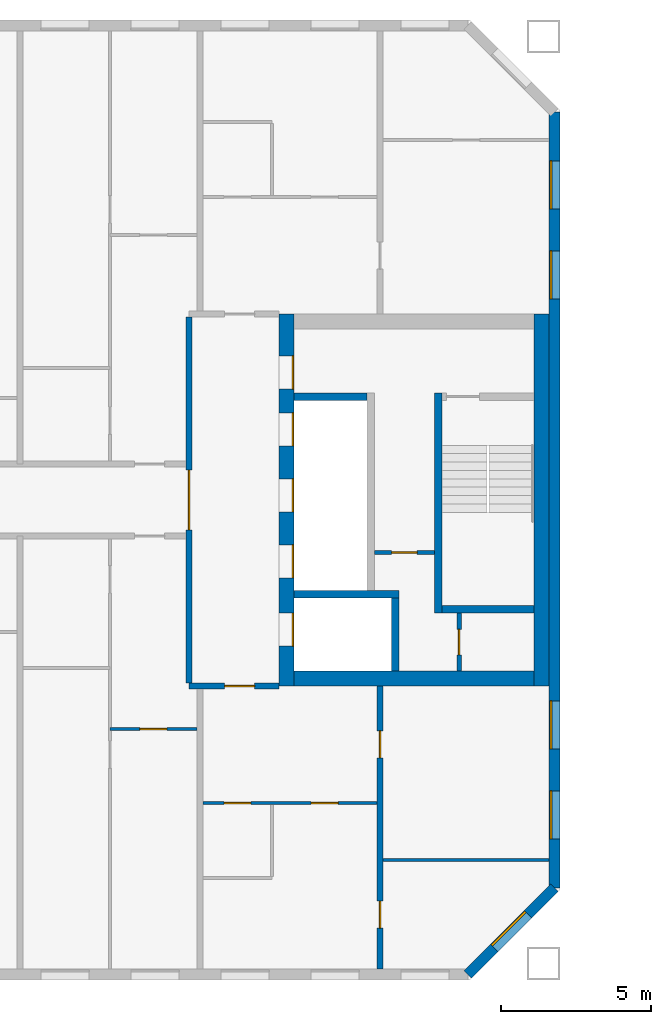
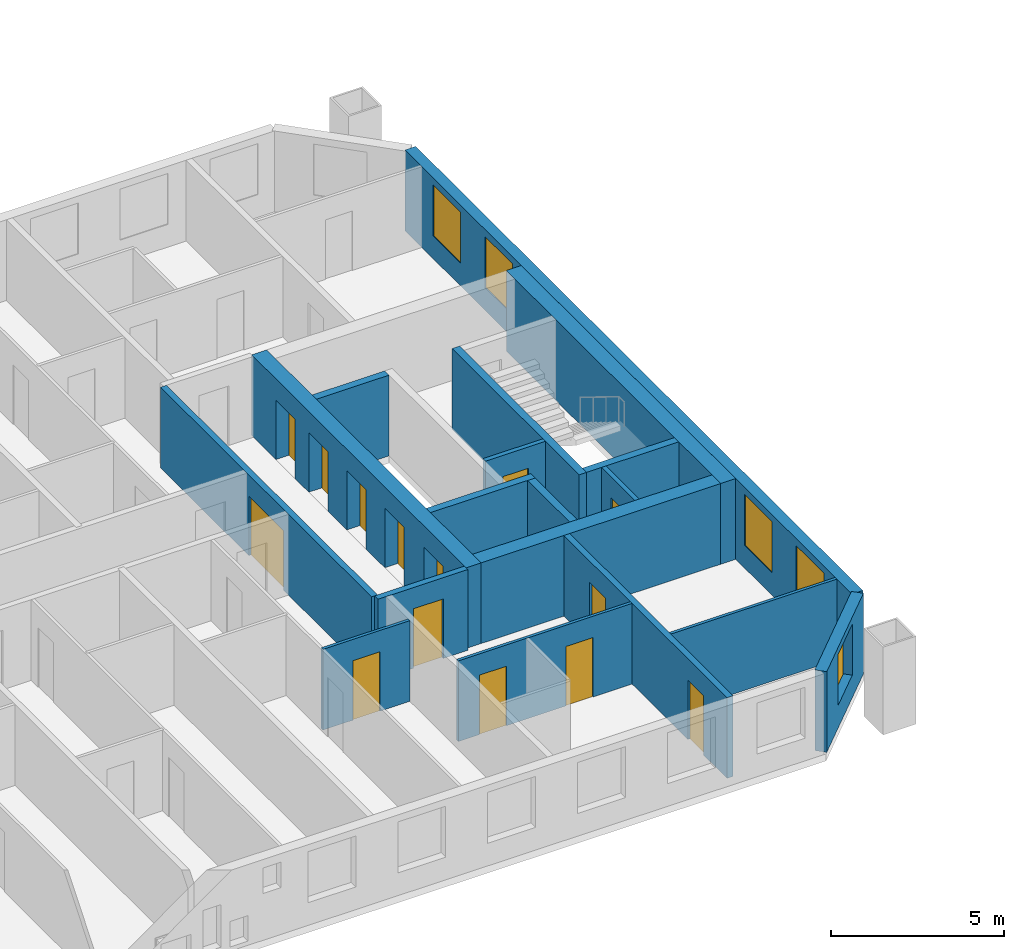
# One storey, part 6 of 15: 18 walls, 14 doors, 5 windows, 19 openings.
"""IFC4 building model written with IfcOpenShell, lengths in metres."""

from ifc_helpers import new_model, si_unit, direction, frame, frame_2d, origin, place, context, subcontext, project, spatial, rectangle, extrude, material, layer, layer_set, type_object, element, fill, save


model = new_model("IFC4")

# Units and contexts
model_context = context("Model", 3, precision=1e-05, world=origin(), true_north=direction((0.0, 1.0)))
body_context = subcontext(model_context, "Body", "Model", "MODEL_VIEW")
ifc_project = project(units=[si_unit("LENGTHUNIT", "METRE"), si_unit("AREAUNIT", "SQUARE_METRE"), si_unit("VOLUMEUNIT", "CUBIC_METRE"), si_unit("PLANEANGLEUNIT", "RADIAN"), si_unit("MASSUNIT", "GRAM", prefix="KILO")], contexts=[model_context])

# Site, building, storey
site_placement = place(None, origin())
site = spatial("IfcSite", under=ifc_project, at=site_placement, CompositionType="ELEMENT")
building_placement = place(site_placement, origin())
building = spatial("IfcBuilding", under=site, at=building_placement, Name="Tuart Gate Housing", CompositionType="ELEMENT")
storey_placement = place(building_placement, frame((0.0, 0.0, 164.0)))
storey = spatial("IfcBuildingStorey", under=building, at=storey_placement, Name="L46", CompositionType="ELEMENT", Elevation=164.0)

# Wall, opening, window
ifc_material_1 = material(Name="Brick", Category="masonry")
ifc_layer_1 = layer(ifc_material_1, 0.360107421875)
ifc_layer_set_1 = layer_set([ifc_layer_1], Name="Brick pier and spandrel wall 360")
wall_type_1 = type_object("IfcWallType", Name="Brick pier and spandrel wall 360", PredefinedType="STANDARD", material=ifc_layer_set_1)
wall_1_placement = place(storey_placement, frame((72.92529296875, 54.179931640625, 0.0), z_axis=(0.0, 0.0, 1.0), x_axis=(0.707106781187, 0.707106781187, 0.0)))
wall_1 = element("IfcWall", 1, at=wall_1_placement, inside=storey, type_object=wall_type_1, Name="External wall A-SE L46", PredefinedType="STANDARD", context=body_context, shape_type="SweptSolid", body=[
    extrude(rectangle(XDim=4.09375, YDim=0.360107421875, at=frame_2d((2.046875, 0.0))), origin(), (0.0, 0.0, 1.0), 2.85009765625),
])
opening_1_placement = place(wall_1_placement, frame((1.2470703125, 0.0, 0.800048828125)))
opening_1 = element("IfcOpeningElement", 2, at=opening_1_placement, cuts=wall_1, Name="Opening W1", PredefinedType="OPENING", context=body_context, shape_type="SweptSolid", body=[
    extrude(rectangle(XDim=1.60009765625, YDim=1.800048828125, at=frame_2d((0.800048828125, 0.89990234375))), frame((0.0, 0.18994140625, 0.0), z_axis=(0.0, -1.0, 0.0), x_axis=(1.0, 0.0, 0.0)), (0.0, 0.0, 1.0), 0.380126953125),
])
ifc_material_2 = material(Name="Aluminium frame with clear glass", Category="aluminium")
window_type = type_object("IfcWindowType", Name="Punched window 1600 x 1800", PartitioningType="SINGLE_PANEL", PredefinedType="WINDOW", material=ifc_material_2)
window_1_placement = place(opening_1_placement, origin())
window_1 = element("IfcWindow", 3, at=window_1_placement, inside=storey, type_object=window_type, Name="Window W1", OverallHeight=1.800048828125, OverallWidth=1.60009765625, PartitioningType="SINGLE_PANEL", PredefinedType="WINDOW", context=body_context, shape_type="SweptSolid", body=[
    extrude(rectangle(XDim=1.60009765625, YDim=1.800048828125, at=frame_2d((0.800048828125, 0.89990234375))), frame((0.0, 0.150146484375, 0.0), z_axis=(0.0, -1.0, 0.0), x_axis=(1.0, 0.0, 0.0)), (0.0, 0.0, 1.0), 0.06005859375),
])
fill(opening_1, window_1)

# Wall, openings, windows
wall_2_placement = place(storey_placement, frame((75.820068359375, 57.07470703125, 0.0), z_axis=(0.0, 0.0, 1.0), x_axis=(0.0, 1.0, 0.0)))
wall_2 = element("IfcWall", 4, at=wall_2_placement, inside=storey, type_object=wall_type_1, Name="External wall A-E L46", PredefinedType="STANDARD", context=body_context, shape_type="SweptSolid", body=[
    extrude(rectangle(XDim=25.850830078125, YDim=0.360107421875, at=frame_2d((12.92529296875, 0.0))), origin(), (0.0, 0.0, 1.0), 2.85009765625),
])
opening_2_placement = place(wall_2_placement, frame((1.62548828125, 0.0, 0.800048828125)))
opening_2 = element("IfcOpeningElement", 5, at=opening_2_placement, cuts=wall_2, Name="Opening W1", PredefinedType="OPENING", context=body_context, shape_type="SweptSolid", body=[
    extrude(rectangle(XDim=1.60009765625, YDim=1.800048828125, at=frame_2d((0.800048828125, 0.89990234375))), frame((0.0, 0.18994140625, 0.0), z_axis=(0.0, -1.0, 0.0), x_axis=(1.0, 0.0, 0.0)), (0.0, 0.0, 1.0), 0.380126953125),
])
opening_3_placement = place(wall_2_placement, frame((4.62548828125, 0.0, 0.800048828125)))
opening_3 = element("IfcOpeningElement", 6, at=opening_3_placement, cuts=wall_2, Name="Opening W1", PredefinedType="OPENING", context=body_context, shape_type="SweptSolid", body=[
    extrude(rectangle(XDim=1.60009765625, YDim=1.800048828125, at=frame_2d((0.800048828125, 0.89990234375))), frame((0.0, 0.18994140625, 0.0), z_axis=(0.0, -1.0, 0.0), x_axis=(1.0, 0.0, 0.0)), (0.0, 0.0, 1.0), 0.380126953125),
])
opening_4_placement = place(wall_2_placement, frame((19.62548828125, 0.0, 0.800048828125)))
opening_4 = element("IfcOpeningElement", 7, at=opening_4_placement, cuts=wall_2, Name="Opening W1", PredefinedType="OPENING", context=body_context, shape_type="SweptSolid", body=[
    extrude(rectangle(XDim=1.60009765625, YDim=1.800048828125, at=frame_2d((0.800048828125, 0.89990234375))), frame((0.0, 0.18994140625, 0.0), z_axis=(0.0, -1.0, 0.0), x_axis=(1.0, 0.0, 0.0)), (0.0, 0.0, 1.0), 0.380126953125),
])
opening_5_placement = place(wall_2_placement, frame((22.62548828125, 0.0, 0.800048828125)))
opening_5 = element("IfcOpeningElement", 8, at=opening_5_placement, cuts=wall_2, Name="Opening W1", PredefinedType="OPENING", context=body_context, shape_type="SweptSolid", body=[
    extrude(rectangle(XDim=1.60009765625, YDim=1.800048828125, at=frame_2d((0.800048828125, 0.89990234375))), frame((0.0, 0.18994140625, 0.0), z_axis=(0.0, -1.0, 0.0), x_axis=(1.0, 0.0, 0.0)), (0.0, 0.0, 1.0), 0.380126953125),
])
window_2_placement = place(opening_2_placement, origin())
window_2 = element("IfcWindow", 9, at=window_2_placement, inside=storey, type_object=window_type, Name="Window W1", OverallHeight=1.800048828125, OverallWidth=1.60009765625, PartitioningType="SINGLE_PANEL", PredefinedType="WINDOW", context=body_context, shape_type="SweptSolid", body=[
    extrude(rectangle(XDim=1.60009765625, YDim=1.800048828125, at=frame_2d((0.800048828125, 0.89990234375))), frame((0.0, 0.150146484375, 0.0), z_axis=(0.0, -1.0, 0.0), x_axis=(1.0, 0.0, 0.0)), (0.0, 0.0, 1.0), 0.06005859375),
])
fill(opening_2, window_2)
window_3_placement = place(opening_3_placement, origin())
window_3 = element("IfcWindow", 10, at=window_3_placement, inside=storey, type_object=window_type, Name="Window W1", OverallHeight=1.800048828125, OverallWidth=1.60009765625, PartitioningType="SINGLE_PANEL", PredefinedType="WINDOW", context=body_context, shape_type="SweptSolid", body=[
    extrude(rectangle(XDim=1.60009765625, YDim=1.800048828125, at=frame_2d((0.800048828125, 0.89990234375))), frame((0.0, 0.150146484375, 0.0), z_axis=(0.0, -1.0, 0.0), x_axis=(1.0, 0.0, 0.0)), (0.0, 0.0, 1.0), 0.06005859375),
])
fill(opening_3, window_3)
window_4_placement = place(opening_4_placement, origin())
window_4 = element("IfcWindow", 11, at=window_4_placement, inside=storey, type_object=window_type, Name="Window W1", OverallHeight=1.800048828125, OverallWidth=1.60009765625, PartitioningType="SINGLE_PANEL", PredefinedType="WINDOW", context=body_context, shape_type="SweptSolid", body=[
    extrude(rectangle(XDim=1.60009765625, YDim=1.800048828125, at=frame_2d((0.800048828125, 0.89990234375))), frame((0.0, 0.150146484375, 0.0), z_axis=(0.0, -1.0, 0.0), x_axis=(1.0, 0.0, 0.0)), (0.0, 0.0, 1.0), 0.06005859375),
])
fill(opening_4, window_4)
window_5_placement = place(opening_5_placement, origin())
window_5 = element("IfcWindow", 12, at=window_5_placement, inside=storey, type_object=window_type, Name="Window W1", OverallHeight=1.800048828125, OverallWidth=1.60009765625, PartitioningType="SINGLE_PANEL", PredefinedType="WINDOW", context=body_context, shape_type="SweptSolid", body=[
    extrude(rectangle(XDim=1.60009765625, YDim=1.800048828125, at=frame_2d((0.800048828125, 0.89990234375))), frame((0.0, 0.150146484375, 0.0), z_axis=(0.0, -1.0, 0.0), x_axis=(1.0, 0.0, 0.0)), (0.0, 0.0, 1.0), 0.06005859375),
])
fill(opening_5, window_5)

# Wall, opening, door
ifc_material_3 = material(Name="Plasterboard partition")
ifc_layer_2 = layer(ifc_material_3, 0.14990234375)
ifc_layer_set_2 = layer_set([ifc_layer_2], Name="Core partition 150")
wall_type_2 = type_object("IfcWallType", Name="Core partition 150", PredefinedType="PARTITIONING", material=ifc_layer_set_2)
wall_3_placement = place(storey_placement, frame((69.81494140625, 68.25, 0.0), z_axis=(0.0, 0.0, 1.0), x_axis=(1.0, 0.0, 0.0)))
wall_3 = element("IfcWall", 13, at=wall_3_placement, inside=storey, type_object=wall_type_2, Name="Core partition AG.3", PredefinedType="PARTITIONING", context=body_context, shape_type="SweptSolid", body=[
    extrude(rectangle(XDim=2.0, YDim=0.14990234375, at=frame_2d((1.0, 0.0))), origin(), (0.0, 0.0, 1.0), 2.85009765625),
])
opening_6_placement = place(wall_3_placement, frame((0.574951171875, 0.0, 0.0)))
opening_6 = element("IfcOpeningElement", 14, at=opening_6_placement, cuts=wall_3, Name="Opening D1658", PredefinedType="OPENING", context=body_context, shape_type="SweptSolid", body=[
    extrude(rectangle(XDim=0.85009765625, YDim=2.10009765625, at=frame_2d((0.425048828125, 1.050048828125))), frame((0.0, 0.0849609375, 0.0), z_axis=(0.0, -1.0, 0.0), x_axis=(1.0, 0.0, 0.0)), (0.0, 0.0, 1.0), 0.169921875),
])
ifc_material_4 = material(Name="Steel fire door", Category="steel")
door_type_1 = type_object("IfcDoorType", Name="Riser door 850 x 2100 RH", OperationType="SINGLE_SWING_RIGHT", PredefinedType="DOOR", material=ifc_material_4)
door_1_placement = place(opening_6_placement, frame((0.85009765625, 0.0, 0.0), z_axis=(0.0, 0.0, 1.0), x_axis=(-1.0, 0.0, 0.0)))
door_1 = element("IfcDoor", 15, at=door_1_placement, inside=storey, type_object=door_type_1, Name="Service room door AG.E1", OperationType="SINGLE_SWING_RIGHT", OverallHeight=2.10009765625, OverallWidth=0.85009765625, PredefinedType="DOOR", context=body_context, shape_type="SweptSolid", body=[
    extrude(rectangle(XDim=0.85009765625, YDim=2.10009765625, at=frame_2d((0.425048828125, 1.050048828125))), frame((0.0, 0.025146484375, 0.0), z_axis=(0.0, -1.0, 0.0), x_axis=(1.0, 0.0, 0.0)), (0.0, 0.0, 1.0), 0.050048828125),
])
fill(opening_6, door_1)

wall_4_placement = place(storey_placement, frame((72.639892578125, 64.300048828125, 0.0), z_axis=(0.0, 0.0, 1.0), x_axis=(0.0, 1.0, 0.0)))
wall_4 = element("IfcWall", 16, at=wall_4_placement, inside=storey, type_object=wall_type_2, Name="Core partition AG.9", PredefinedType="PARTITIONING", context=body_context, shape_type="SweptSolid", body=[
    extrude(rectangle(XDim=1.925048828125, YDim=0.14990234375, at=frame_2d((0.96240234375, 0.0))), origin(), (0.0, 0.0, 1.0), 2.85009765625),
])
opening_7_placement = place(wall_4_placement, frame((0.53759765625, 0.0, 0.0)))
opening_7 = element("IfcOpeningElement", 17, at=opening_7_placement, cuts=wall_4, Name="Opening D1660", PredefinedType="OPENING", context=body_context, shape_type="SweptSolid", body=[
    extrude(rectangle(XDim=0.85009765625, YDim=2.10009765625, at=frame_2d((0.425048828125, 1.050048828125))), frame((0.0, 0.0849609375, 0.0), z_axis=(0.0, -1.0, 0.0), x_axis=(1.0, 0.0, 0.0)), (0.0, 0.0, 1.0), 0.169921875),
])
ifc_material_5 = material(Name="Steel fire door", Category="steel")
door_type_2 = type_object("IfcDoorType", Name="Service door 850 x 2100", OperationType="SINGLE_SWING_LEFT", PredefinedType="DOOR", material=ifc_material_5)
door_2_placement = place(opening_7_placement, origin())
door_2 = element("IfcDoor", 18, at=door_2_placement, inside=storey, type_object=door_type_2, Name="Service room door AG.E2", OperationType="SINGLE_SWING_LEFT", OverallHeight=2.10009765625, OverallWidth=0.85009765625, PredefinedType="DOOR", context=body_context, shape_type="SweptSolid", body=[
    extrude(rectangle(XDim=0.85009765625, YDim=2.10009765625, at=frame_2d((0.425048828125, 1.050048828125))), frame((0.0, 0.02490234375, 0.0), z_axis=(0.0, -1.0, 0.0), x_axis=(1.0, 0.0, 0.0)), (0.0, 0.0, 1.0), 0.050048828125),
])
fill(opening_7, door_2)

# Walls
ifc_material_6 = material(Name="Concrete C40", Category="concrete")
ifc_layer_3 = layer(ifc_material_6, 0.25)
ifc_layer_set_3 = layer_set([ifc_layer_3], Name="Core wall 250 C40")
wall_type_3 = type_object("IfcWallType", Name="Core wall 250 C40", PredefinedType="SHEAR", material=ifc_layer_set_3)
wall_5_placement = place(storey_placement, frame((72.06494140625, 66.35009765625, 0.0), z_axis=(0.0, 0.0, 1.0), x_axis=(1.0, 0.0, 0.0)))
element("IfcWall", 19, at=wall_5_placement, inside=storey, type_object=wall_type_3, Name="Core wall AG.1", PredefinedType="SHEAR", context=body_context, shape_type="SweptSolid", body=[
    extrude(rectangle(XDim=3.074951171875, YDim=0.25, at=frame_2d((1.53759765625, 0.0))), origin(), (0.0, 0.0, 1.0), 2.85009765625),
])
wall_6_placement = place(storey_placement, frame((67.139892578125, 66.85009765625, 0.0), z_axis=(0.0, 0.0, 1.0), x_axis=(1.0, 0.0, 0.0)))
element("IfcWall", 20, at=wall_6_placement, inside=storey, type_object=wall_type_3, Name="Core wall AG.2", PredefinedType="SHEAR", context=body_context, shape_type="SweptSolid", body=[
    extrude(rectangle(XDim=3.4951171875, YDim=0.25, at=frame_2d((1.74755859375, 0.0))), origin(), (0.0, 0.0, 1.0), 2.85009765625),
])
for number, where, z_axis, x_axis, name in (
    (21, (67.139892578125, 73.449951171875, 0.0), (0.0, 0.0, 1.0), (1.0, 0.0, 0.0), "Core wall AG.4"),
    (22, (70.510009765625, 64.300048828125, 0.0), (0.0, 0.0, 1.0), (0.0, 1.0, 0.0), "Core wall AG.7"),
):
    element("IfcWall", number, at=place(storey_placement, frame(where, z_axis=z_axis, x_axis=x_axis)), inside=storey, type_object=wall_type_3, Name=name, PredefinedType="SHEAR", context=body_context, shape_type="SweptSolid", body=[
        extrude(rectangle(XDim=2.425048828125, YDim=0.25, at=frame_2d((1.21240234375, 0.0))), origin(), (0.0, 0.0, 1.0), 2.85009765625),
    ])
wall_7_placement = place(storey_placement, frame((71.93994140625, 66.22509765625, 0.0), z_axis=(0.0, 0.0, 1.0), x_axis=(0.0, 1.0, 0.0)))
element("IfcWall", 23, at=wall_7_placement, inside=storey, type_object=wall_type_3, Name="Core wall AG.8", PredefinedType="SHEAR", context=body_context, shape_type="SweptSolid", body=[
    extrude(rectangle(XDim=7.349853515625, YDim=0.25, at=frame_2d((3.6748046875, 0.0))), origin(), (0.0, 0.0, 1.0), 2.85009765625),
])

# Wall, openings, doors
ifc_material_7 = material(Name="Concrete C40", Category="concrete")
ifc_layer_4 = layer(ifc_material_7, 0.5)
ifc_layer_set_4 = layer_set([ifc_layer_4], Name="Core wall 500 C40")
wall_type_4 = type_object("IfcWallType", Name="Core wall 500 C40", PredefinedType="SHEAR", material=ifc_layer_set_4)
wall_8_placement = place(storey_placement, frame((66.889892578125, 63.800048828125, 0.0), z_axis=(0.0, 0.0, 1.0), x_axis=(0.0, 1.0, 0.0)))
wall_8 = element("IfcWall", 24, at=wall_8_placement, inside=storey, type_object=wall_type_4, Name="Core wall AG front", PredefinedType="SHEAR", context=body_context, shape_type="SweptSolid", body=[
    extrude(rectangle(XDim=12.39990234375, YDim=0.5, at=frame_2d((6.199951171875, 0.0))), origin(), (0.0, 0.0, 1.0), 2.85009765625),
])
opening_8_placement = place(wall_8_placement, frame((1.324951171875, 0.0, 0.0)))
opening_8 = element("IfcOpeningElement", 25, at=opening_8_placement, cuts=wall_8, Name="Opening LD-FA1", PredefinedType="OPENING", context=body_context, shape_type="SweptSolid", body=[
    extrude(rectangle(XDim=1.10009765625, YDim=2.10009765625, at=frame_2d((0.550048828125, 1.050048828125))), frame((0.0, 0.260009765625, 0.0), z_axis=(0.0, -1.0, 0.0), x_axis=(1.0, 0.0, 0.0)), (0.0, 0.0, 1.0), 0.52001953125),
])
opening_9_placement = place(wall_8_placement, frame((3.60009765625, 0.0, 0.0)))
opening_9 = element("IfcOpeningElement", 26, at=opening_9_placement, cuts=wall_8, Name="Opening LD-LA1", PredefinedType="OPENING", context=body_context, shape_type="SweptSolid", body=[
    extrude(rectangle(XDim=1.10009765625, YDim=2.10009765625, at=frame_2d((0.550048828125, 1.050048828125))), frame((0.0, 0.260009765625, 0.0), z_axis=(0.0, -1.0, 0.0), x_axis=(1.0, 0.0, 0.0)), (0.0, 0.0, 1.0), 0.52001953125),
])
opening_10_placement = place(wall_8_placement, frame((5.800048828125, 0.0, 0.0)))
opening_10 = element("IfcOpeningElement", 27, at=opening_10_placement, cuts=wall_8, Name="Opening LD-LA2", PredefinedType="OPENING", context=body_context, shape_type="SweptSolid", body=[
    extrude(rectangle(XDim=1.10009765625, YDim=2.10009765625, at=frame_2d((0.550048828125, 1.050048828125))), frame((0.0, 0.260009765625, 0.0), z_axis=(0.0, -1.0, 0.0), x_axis=(1.0, 0.0, 0.0)), (0.0, 0.0, 1.0), 0.52001953125),
])
opening_11_placement = place(wall_8_placement, frame((8.0, 0.0, 0.0)))
opening_11 = element("IfcOpeningElement", 28, at=opening_11_placement, cuts=wall_8, Name="Opening LD-LA3", PredefinedType="OPENING", context=body_context, shape_type="SweptSolid", body=[
    extrude(rectangle(XDim=1.10009765625, YDim=2.10009765625, at=frame_2d((0.550048828125, 1.050048828125))), frame((0.0, 0.260009765625, 0.0), z_axis=(0.0, -1.0, 0.0), x_axis=(1.0, 0.0, 0.0)), (0.0, 0.0, 1.0), 0.52001953125),
])
opening_12_placement = place(wall_8_placement, frame((9.89990234375, 0.0, 0.0)))
opening_12 = element("IfcOpeningElement", 29, at=opening_12_placement, cuts=wall_8, Name="Opening D1654", PredefinedType="OPENING", context=body_context, shape_type="SweptSolid", body=[
    extrude(rectangle(XDim=1.10009765625, YDim=2.10009765625, at=frame_2d((0.550048828125, 1.050048828125))), frame((0.0, 0.260009765625, 0.0), z_axis=(0.0, -1.0, 0.0), x_axis=(1.0, 0.0, 0.0)), (0.0, 0.0, 1.0), 0.52001953125),
])
ifc_material_8 = material(Name="Stainless steel", Category="steel")
door_type_3 = type_object("IfcDoorType", Name="Landing door 1100 x 2100", OperationType="DOUBLE_DOOR_SLIDING", PredefinedType="DOOR", material=ifc_material_8)
door_3_placement = place(opening_8_placement, origin())
door_3 = element("IfcDoor", 30, at=door_3_placement, inside=storey, type_object=door_type_3, Name="Lift landing door FA1", OperationType="DOUBLE_DOOR_SLIDING", OverallHeight=2.10009765625, OverallWidth=1.10009765625, PredefinedType="DOOR", context=body_context, shape_type="SweptSolid", body=[
    extrude(rectangle(XDim=1.10009765625, YDim=2.10009765625, at=frame_2d((0.550048828125, 1.050048828125))), frame((0.0, -0.18505859375, 0.0), z_axis=(0.0, -1.0, 0.0), x_axis=(1.0, 0.0, 0.0)), (0.0, 0.0, 1.0), 0.050048828125),
])
fill(opening_8, door_3)
door_4_placement = place(opening_9_placement, origin())
door_4 = element("IfcDoor", 31, at=door_4_placement, inside=storey, type_object=door_type_3, Name="Lift landing door LA1", OperationType="DOUBLE_DOOR_SLIDING", OverallHeight=2.10009765625, OverallWidth=1.10009765625, PredefinedType="DOOR", context=body_context, shape_type="SweptSolid", body=[
    extrude(rectangle(XDim=1.10009765625, YDim=2.10009765625, at=frame_2d((0.550048828125, 1.050048828125))), frame((0.0, -0.18505859375, 0.0), z_axis=(0.0, -1.0, 0.0), x_axis=(1.0, 0.0, 0.0)), (0.0, 0.0, 1.0), 0.050048828125),
])
fill(opening_9, door_4)
door_5_placement = place(opening_10_placement, origin())
door_5 = element("IfcDoor", 32, at=door_5_placement, inside=storey, type_object=door_type_3, Name="Lift landing door LA2", OperationType="DOUBLE_DOOR_SLIDING", OverallHeight=2.10009765625, OverallWidth=1.10009765625, PredefinedType="DOOR", context=body_context, shape_type="SweptSolid", body=[
    extrude(rectangle(XDim=1.10009765625, YDim=2.10009765625, at=frame_2d((0.550048828125, 1.050048828125))), frame((0.0, -0.18505859375, 0.0), z_axis=(0.0, -1.0, 0.0), x_axis=(1.0, 0.0, 0.0)), (0.0, 0.0, 1.0), 0.050048828125),
])
fill(opening_10, door_5)
door_6_placement = place(opening_11_placement, origin())
door_6 = element("IfcDoor", 33, at=door_6_placement, inside=storey, type_object=door_type_3, Name="Lift landing door LA3", OperationType="DOUBLE_DOOR_SLIDING", OverallHeight=2.10009765625, OverallWidth=1.10009765625, PredefinedType="DOOR", context=body_context, shape_type="SweptSolid", body=[
    extrude(rectangle(XDim=1.10009765625, YDim=2.10009765625, at=frame_2d((0.550048828125, 1.050048828125))), frame((0.0, -0.18505859375, 0.0), z_axis=(0.0, -1.0, 0.0), x_axis=(1.0, 0.0, 0.0)), (0.0, 0.0, 1.0), 0.050048828125),
])
fill(opening_11, door_6)
ifc_material_9 = material(Name="Steel fire door", Category="steel")
door_type_4 = type_object("IfcDoorType", Name="Lobby door 1100 x 2100 RH", OperationType="SINGLE_SWING_RIGHT", PredefinedType="DOOR", material=ifc_material_9)
door_7_placement = place(opening_12_placement, frame((1.10009765625, 0.0, 0.0), z_axis=(0.0, 0.0, 1.0), x_axis=(-1.0, 0.0, 0.0)))
door_7 = element("IfcDoor", 34, at=door_7_placement, inside=storey, type_object=door_type_4, Name="Lobby entry door AG.EN", OperationType="SINGLE_SWING_RIGHT", OverallHeight=2.10009765625, OverallWidth=1.10009765625, PredefinedType="DOOR", context=body_context, shape_type="SweptSolid", body=[
    extrude(rectangle(XDim=1.10009765625, YDim=2.10009765625, at=frame_2d((0.550048828125, 1.050048828125))), frame((0.0, 0.235107421875, 0.0), z_axis=(0.0, -1.0, 0.0), x_axis=(1.0, 0.0, 0.0)), (0.0, 0.0, 1.0), 0.050048828125),
])
fill(opening_12, door_7)

# Walls
wall_9_placement = place(storey_placement, frame((75.389892578125, 63.800048828125, 0.0), z_axis=(0.0, 0.0, 1.0), x_axis=(0.0, 1.0, 0.0)))
element("IfcWall", 35, at=wall_9_placement, inside=storey, type_object=wall_type_4, Name="Core wall AG back", PredefinedType="SHEAR", context=body_context, shape_type="SweptSolid", body=[
    extrude(rectangle(XDim=12.39990234375, YDim=0.5, at=frame_2d((6.199951171875, 0.0))), origin(), (0.0, 0.0, 1.0), 2.85009765625),
])
wall_10_placement = place(storey_placement, frame((67.139892578125, 64.050048828125, 0.0), z_axis=(0.0, 0.0, 1.0), x_axis=(1.0, 0.0, 0.0)))
element("IfcWall", 36, at=wall_10_placement, inside=storey, type_object=wall_type_4, Name="Core wall AG south", PredefinedType="SHEAR", context=body_context, shape_type="SweptSolid", body=[
    extrude(rectangle(XDim=8.0, YDim=0.5, at=frame_2d((4.0, 0.0))), origin(), (0.0, 0.0, 1.0), 2.85009765625),
])

# Wall, opening, door
ifc_material_10 = material(Name="Concrete masonry 15 MPa", Category="masonry")
ifc_layer_5 = layer(ifc_material_10, 0.199951171875)
ifc_layer_set_5 = layer_set([ifc_layer_5], Name="Enclosure wall masonry 200")
wall_type_5 = type_object("IfcWallType", Name="Enclosure wall masonry 200", PredefinedType="PARTITIONING", material=ifc_layer_set_5)
wall_11_placement = place(storey_placement, frame((63.639892578125, 63.800048828125, 0.0), z_axis=(0.0, 0.0, 1.0), x_axis=(1.0, 0.0, 0.0)))
wall_11 = element("IfcWall", 37, at=wall_11_placement, inside=storey, type_object=wall_type_5, Name="Enclosure wall masonry 200", PredefinedType="PARTITIONING", context=body_context, shape_type="SweptSolid", body=[
    extrude(rectangle(XDim=3.0, YDim=0.199951171875, at=frame_2d((1.5, 0.0))), origin(), (0.0, 0.0, 1.0), 2.85009765625),
])
opening_13_placement = place(wall_11_placement, frame((1.179931640625, 0.0, 0.0)))
opening_13 = element("IfcOpeningElement", 38, at=opening_13_placement, cuts=wall_11, Name="Opening D1662", PredefinedType="OPENING", context=body_context, shape_type="SweptSolid", body=[
    extrude(rectangle(XDim=1.0, YDim=2.10009765625, at=frame_2d((0.5, 1.050048828125))), frame((0.0, 0.10986328125, 0.0), z_axis=(0.0, -1.0, 0.0), x_axis=(1.0, 0.0, 0.0)), (0.0, 0.0, 1.0), 0.219970703125),
])
ifc_material_11 = material(Name="Timber door leaf in steel frame", Category="steel")
door_type_5 = type_object("IfcDoorType", Name="Flat entrance door 1000 RH", OperationType="SINGLE_SWING_RIGHT", PredefinedType="DOOR", material=ifc_material_11)
door_8_placement = place(opening_13_placement, frame((1.0, 0.0, 0.0), z_axis=(0.0, 0.0, 1.0), x_axis=(-1.0, 0.0, 0.0)))
door_8 = element("IfcDoor", 39, at=door_8_placement, inside=storey, type_object=door_type_5, Name="Flat entrance door", OperationType="SINGLE_SWING_RIGHT", OverallHeight=2.10009765625, OverallWidth=1.0, PredefinedType="DOOR", context=body_context, shape_type="SweptSolid", body=[
    extrude(rectangle(XDim=1.0, YDim=2.10009765625, at=frame_2d((0.5, 1.050048828125))), frame((0.0, 0.025146484375, 0.0), z_axis=(0.0, -1.0, 0.0), x_axis=(1.0, 0.0, 0.0)), (0.0, 0.0, 1.0), 0.050048828125),
])
fill(opening_13, door_8)

ifc_material_12 = material(Name="Plasterboard partition")
ifc_layer_6 = layer(ifc_material_12, 0.199951171875)
ifc_layer_set_6 = layer_set([ifc_layer_6], Name="Lobby wall 200")
wall_type_6 = type_object("IfcWallType", Name="Lobby wall 200", PredefinedType="PARTITIONING", material=ifc_layer_set_6)
wall_12_placement = place(storey_placement, frame((63.639892578125, 63.89990234375, 0.0), z_axis=(0.0, 0.0, 1.0), x_axis=(0.0, 1.0, 0.0)))
wall_12 = element("IfcWall", 40, at=wall_12_placement, inside=storey, type_object=wall_type_6, Name="Lift lobby wall AG", PredefinedType="PARTITIONING", context=body_context, shape_type="SweptSolid", body=[
    extrude(rectangle(XDim=12.2001953125, YDim=0.199951171875, at=frame_2d((6.10009765625, 0.0))), origin(), (0.0, 0.0, 1.0), 2.85009765625),
])
opening_14_placement = place(wall_12_placement, frame((5.10009765625, 0.0, 0.0)))
opening_14 = element("IfcOpeningElement", 41, at=opening_14_placement, cuts=wall_12, Name="Opening D1653", PredefinedType="OPENING", context=body_context, shape_type="SweptSolid", body=[
    extrude(rectangle(XDim=2.0, YDim=2.10009765625, at=frame_2d((1.0, 1.050048828125))), frame((0.0, 0.10986328125, 0.0), z_axis=(0.0, -1.0, 0.0), x_axis=(1.0, 0.0, 0.0)), (0.0, 0.0, 1.0), 0.219970703125),
])
ifc_material_13 = material(Name="Steel fire door", Category="steel")
door_type_6 = type_object("IfcDoorType", Name="Smoke door 2000 x 2100", OperationType="DOUBLE_DOOR_SINGLE_SWING", PredefinedType="DOOR", material=ifc_material_13)
door_9_placement = place(opening_14_placement, frame((2.0, 0.0, 0.0), z_axis=(0.0, 0.0, 1.0), x_axis=(-1.0, 0.0, 0.0)))
door_9 = element("IfcDoor", 42, at=door_9_placement, inside=storey, type_object=door_type_6, Name="Lift lobby smoke door AG", OperationType="DOUBLE_DOOR_SINGLE_SWING", OverallHeight=2.10009765625, OverallWidth=2.0, PredefinedType="DOOR", context=body_context, shape_type="SweptSolid", body=[
    extrude(rectangle(XDim=2.0, YDim=2.10009765625, at=frame_2d((1.0, 1.050048828125))), frame((0.0, 0.025146484375, 0.0), z_axis=(0.0, -1.0, 0.0), x_axis=(1.0, 0.0, 0.0)), (0.0, 0.0, 1.0), 0.050048828125),
])
fill(opening_14, door_9)

# Wall
ifc_material_14 = material(Name="Gypsum board on steel studs", Category="steel")
ifc_layer_7 = layer(ifc_material_14, 0.10009765625)
ifc_layer_set_7 = layer_set([ifc_layer_7], Name="Partition 100")
wall_type_7 = type_object("IfcWallType", Name="Partition 100", PredefinedType="PARTITIONING", material=ifc_layer_set_7)
wall_13_placement = place(storey_placement, frame((70.10009765625, 58.0, 0.0), z_axis=(0.0, 0.0, 1.0), x_axis=(1.0, 0.0, 0.0)))
element("IfcWall", 43, at=wall_13_placement, inside=storey, type_object=wall_type_7, Name="Partition 100", PredefinedType="PARTITIONING", context=body_context, shape_type="SweptSolid", body=[
    extrude(rectangle(XDim=5.539794921875, YDim=0.10009765625, at=frame_2d((2.77001953125, 0.0))), origin(), (0.0, 0.0, 1.0), 2.85009765625),
])

# Wall, openings, doors
wall_14_placement = place(storey_placement, frame((64.10009765625, 59.89990234375, 0.0), z_axis=(0.0, 0.0, 1.0), x_axis=(1.0, 0.0, 0.0)))
wall_14 = element("IfcWall", 44, at=wall_14_placement, inside=storey, type_object=wall_type_7, Name="Partition 100", PredefinedType="PARTITIONING", context=body_context, shape_type="SweptSolid", body=[
    extrude(rectangle(XDim=5.7998046875, YDim=0.10009765625, at=frame_2d((2.89990234375, 0.0))), origin(), (0.0, 0.0, 1.0), 2.85009765625),
])
opening_15_placement = place(wall_14_placement, frame((3.60009765625, 0.0, 0.0)))
opening_15 = element("IfcOpeningElement", 45, at=opening_15_placement, cuts=wall_14, Name="Opening D1675", PredefinedType="OPENING", context=body_context, shape_type="SweptSolid", body=[
    extrude(rectangle(XDim=0.89990234375, YDim=2.10009765625, at=frame_2d((0.449951171875, 1.050048828125))), frame((0.0, 0.06005859375, 0.0), z_axis=(0.0, -1.0, 0.0), x_axis=(1.0, 0.0, 0.0)), (0.0, 0.0, 1.0), 0.1201171875),
])
opening_16_placement = place(wall_14_placement, frame((0.699951171875, 0.0, 0.0)))
opening_16 = element("IfcOpeningElement", 46, at=opening_16_placement, cuts=wall_14, Name="Opening D1674", PredefinedType="OPENING", context=body_context, shape_type="SweptSolid", body=[
    extrude(rectangle(XDim=0.89990234375, YDim=2.10009765625, at=frame_2d((0.449951171875, 1.050048828125))), frame((0.0, 0.06005859375, 0.0), z_axis=(0.0, -1.0, 0.0), x_axis=(1.0, 0.0, 0.0)), (0.0, 0.0, 1.0), 0.1201171875),
])
ifc_material_15 = material(Name="Timber door leaf in steel frame", Category="steel")
door_type_7 = type_object("IfcDoorType", Name="Bathroom door 900", OperationType="SINGLE_SWING_LEFT", PredefinedType="DOOR", material=ifc_material_15)
door_10_placement = place(opening_16_placement, frame((0.89990234375, 0.0, 0.0), z_axis=(0.0, 0.0, 1.0), x_axis=(-1.0, 0.0, 0.0)))
door_10 = element("IfcDoor", 47, at=door_10_placement, inside=storey, type_object=door_type_7, Name="Bathroom door", OperationType="SINGLE_SWING_LEFT", OverallHeight=2.10009765625, OverallWidth=0.89990234375, PredefinedType="DOOR", context=body_context, shape_type="SweptSolid", body=[
    extrude(rectangle(XDim=0.89990234375, YDim=2.10009765625, at=frame_2d((0.449951171875, 1.050048828125))), frame((0.0, 0.025146484375, 0.0), z_axis=(0.0, -1.0, 0.0), x_axis=(1.0, 0.0, 0.0)), (0.0, 0.0, 1.0), 0.050048828125),
])
fill(opening_16, door_10)
ifc_material_16 = material(Name="Timber door leaf in steel frame", Category="steel")
door_type_8 = type_object("IfcDoorType", Name="Internal door 900 RH", OperationType="SINGLE_SWING_RIGHT", PredefinedType="DOOR", material=ifc_material_16)
door_11_placement = place(opening_15_placement, origin())
door_11 = element("IfcDoor", 48, at=door_11_placement, inside=storey, type_object=door_type_8, Name="Internal door", OperationType="SINGLE_SWING_RIGHT", OverallHeight=2.10009765625, OverallWidth=0.89990234375, PredefinedType="DOOR", context=body_context, shape_type="SweptSolid", body=[
    extrude(rectangle(XDim=0.89990234375, YDim=2.10009765625, at=frame_2d((0.449951171875, 1.050048828125))), frame((0.0, 0.02490234375, 0.0), z_axis=(0.0, -1.0, 0.0), x_axis=(1.0, 0.0, 0.0)), (0.0, 0.0, 1.0), 0.050048828125),
])
fill(opening_15, door_11)

# Wall, opening, door
wall_15_placement = place(storey_placement, frame((61.0, 62.360107421875, 0.0), z_axis=(0.0, 0.0, 1.0), x_axis=(1.0, 0.0, 0.0)))
wall_15 = element("IfcWall", 49, at=wall_15_placement, inside=storey, type_object=wall_type_7, Name="Partition 100", PredefinedType="PARTITIONING", context=body_context, shape_type="SweptSolid", body=[
    extrude(rectangle(XDim=2.89990234375, YDim=0.10009765625, at=frame_2d((1.449951171875, 0.0))), origin(), (0.0, 0.0, 1.0), 2.85009765625),
])
opening_17_placement = place(wall_15_placement, frame((1.0, 0.0, 0.0)))
opening_17 = element("IfcOpeningElement", 50, at=opening_17_placement, cuts=wall_15, Name="Opening D1663", PredefinedType="OPENING", context=body_context, shape_type="SweptSolid", body=[
    extrude(rectangle(XDim=0.89990234375, YDim=2.10009765625, at=frame_2d((0.449951171875, 1.050048828125))), frame((0.0, 0.06005859375, 0.0), z_axis=(0.0, -1.0, 0.0), x_axis=(1.0, 0.0, 0.0)), (0.0, 0.0, 1.0), 0.1201171875),
])
ifc_material_17 = material(Name="Timber door leaf in steel frame", Category="steel")
door_type_9 = type_object("IfcDoorType", Name="Internal door 900", OperationType="SINGLE_SWING_LEFT", PredefinedType="DOOR", material=ifc_material_17)
door_12_placement = place(opening_17_placement, origin())
door_12 = element("IfcDoor", 51, at=door_12_placement, inside=storey, type_object=door_type_9, Name="Internal door", OperationType="SINGLE_SWING_LEFT", OverallHeight=2.10009765625, OverallWidth=0.89990234375, PredefinedType="DOOR", context=body_context, shape_type="SweptSolid", body=[
    extrude(rectangle(XDim=0.89990234375, YDim=2.10009765625, at=frame_2d((0.449951171875, 1.050048828125))), frame((0.0, 0.02490234375, 0.0), z_axis=(0.0, -1.0, 0.0), x_axis=(1.0, 0.0, 0.0)), (0.0, 0.0, 1.0), 0.050048828125),
])
fill(opening_17, door_12)

# Wall, openings, doors
ifc_material_18 = material(Name="Concrete C40", Category="concrete")
ifc_layer_8 = layer(ifc_material_18, 0.199951171875)
ifc_layer_set_8 = layer_set([ifc_layer_8], Name="Party wall concrete C40 200")
wall_type_8 = type_object("IfcWallType", Name="Party wall concrete C40 200", PredefinedType="SOLIDWALL", material=ifc_layer_set_8)
wall_16_placement = place(storey_placement, frame((70.0, 54.360107421875, 0.0), z_axis=(0.0, 0.0, 1.0), x_axis=(0.0, 1.0, 0.0)))
wall_16 = element("IfcWall", 52, at=wall_16_placement, inside=storey, type_object=wall_type_8, Name="Party wall concrete C40 200", PredefinedType="SOLIDWALL", context=body_context, shape_type="SweptSolid", body=[
    extrude(rectangle(XDim=9.43994140625, YDim=0.199951171875, at=frame_2d((4.719970703125, 0.0))), origin(), (0.0, 0.0, 1.0), 2.85009765625),
])
opening_18_placement = place(wall_16_placement, frame((1.3701171875, 0.0, 0.0)))
opening_18 = element("IfcOpeningElement", 53, at=opening_18_placement, cuts=wall_16, Name="Opening D1677", PredefinedType="OPENING", context=body_context, shape_type="SweptSolid", body=[
    extrude(rectangle(XDim=0.89990234375, YDim=2.10009765625, at=frame_2d((0.449951171875, 1.050048828125))), frame((0.0, 0.10986328125, 0.0), z_axis=(0.0, -1.0, 0.0), x_axis=(1.0, 0.0, 0.0)), (0.0, 0.0, 1.0), 0.219970703125),
])
opening_19_placement = place(wall_16_placement, frame((7.0400390625, 0.0, 0.0)))
opening_19 = element("IfcOpeningElement", 54, at=opening_19_placement, cuts=wall_16, Name="Opening D1678", PredefinedType="OPENING", context=body_context, shape_type="SweptSolid", body=[
    extrude(rectangle(XDim=0.89990234375, YDim=2.10009765625, at=frame_2d((0.449951171875, 1.050048828125))), frame((0.0, 0.10986328125, 0.0), z_axis=(0.0, -1.0, 0.0), x_axis=(1.0, 0.0, 0.0)), (0.0, 0.0, 1.0), 0.219970703125),
])
door_13_placement = place(opening_19_placement, frame((0.89990234375, 0.0, 0.0), z_axis=(0.0, 0.0, 1.0), x_axis=(-1.0, 0.0, 0.0)))
door_13 = element("IfcDoor", 55, at=door_13_placement, inside=storey, type_object=door_type_9, Name="Internal door", OperationType="SINGLE_SWING_LEFT", OverallHeight=2.10009765625, OverallWidth=0.89990234375, PredefinedType="DOOR", context=body_context, shape_type="SweptSolid", body=[
    extrude(rectangle(XDim=0.89990234375, YDim=2.10009765625, at=frame_2d((0.449951171875, 1.050048828125))), frame((0.0, 0.025146484375, 0.0), z_axis=(0.0, -1.0, 0.0), x_axis=(1.0, 0.0, 0.0)), (0.0, 0.0, 1.0), 0.050048828125),
])
fill(opening_19, door_13)
door_14_placement = place(opening_18_placement, frame((0.89990234375, 0.0, 0.0), z_axis=(0.0, 0.0, 1.0), x_axis=(-1.0, 0.0, 0.0)))
door_14 = element("IfcDoor", 56, at=door_14_placement, inside=storey, type_object=door_type_8, Name="Internal door", OperationType="SINGLE_SWING_RIGHT", OverallHeight=2.10009765625, OverallWidth=0.89990234375, PredefinedType="DOOR", context=body_context, shape_type="SweptSolid", body=[
    extrude(rectangle(XDim=0.89990234375, YDim=2.10009765625, at=frame_2d((0.449951171875, 1.050048828125))), frame((0.0, 0.025146484375, 0.0), z_axis=(0.0, -1.0, 0.0), x_axis=(1.0, 0.0, 0.0)), (0.0, 0.0, 1.0), 0.050048828125),
])
fill(opening_18, door_14)

save(model, "model.ifc")
